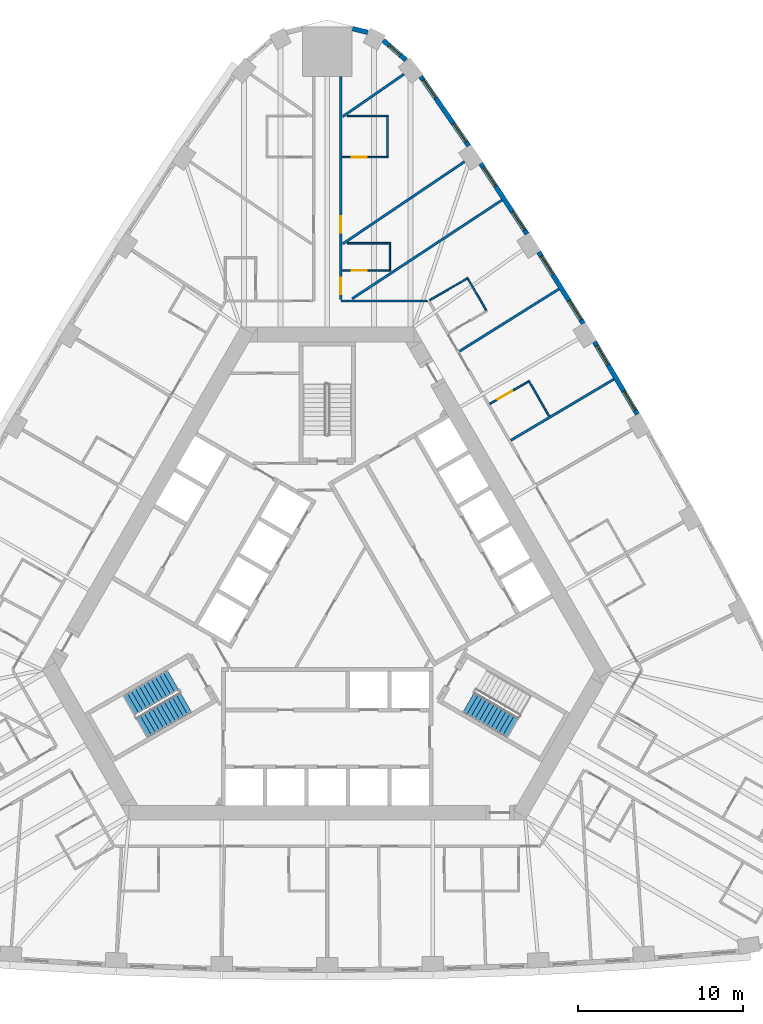
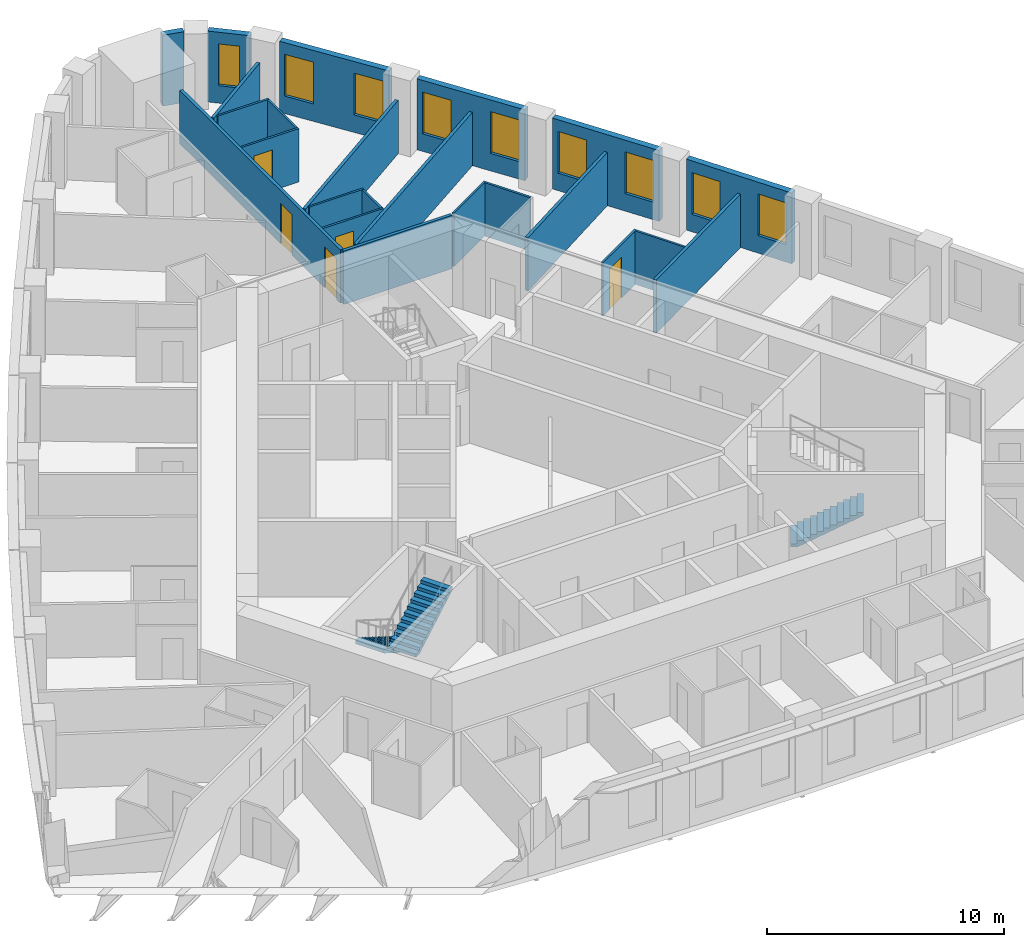
# One storey, part 11 of 13: 23 walls, 9 windows, 5 doors, 3 stair flights, 14 openings, 2 elements without a shape of their own.
"""IFC4 building model written with IfcOpenShell, lengths in metres."""

import ifcopenshell
import ifcopenshell.guid

model = None  # the IFC model being written
_history = None  # IfcOwnerHistory: only IFC2X3 demands one
_inside = {}  # id of a spatial element -> (the spatial element, [elements in it])
_under = {}  # id of a project, library or spatial element -> (it, [spatial elements below it])
_declared = {}  # id of a project -> (the project, [libraries it declares])
_typed = {}  # id of a type object -> (the type object, [elements of that type])
_made_of = {}  # id of a material, layer set ... -> (it, [elements and type objects made of it])


def new_model(schema):
    """Start an empty IFC model of exactly this schema.

    Asked for "IFC4X3", IfcOpenShell would pick the latest addendum, in which some entities
    have other attributes; the version numbers below select the first issue.
    IFC2X3 requires an IfcOwnerHistory on every rooted entity: one is made here for all.
    """
    global model, _history
    if schema == "IFC4X3":
        model = ifcopenshell.file(schema_version=(4, 3, 0, 0))
    else:
        model = ifcopenshell.file(schema=schema)
    _inside.clear()
    _under.clear()
    _declared.clear()
    _typed.clear()
    _made_of.clear()
    _history = None
    if model.schema == "IFC2X3":
        org = make("IfcOrganization", Name="unknown")
        user = make(
            "IfcPersonAndOrganization",
            ThePerson=make("IfcPerson", FamilyName="unknown"),
            TheOrganization=org,
        )
        app = make(
            "IfcApplication",
            ApplicationDeveloper=org,
            Version="unknown",
            ApplicationFullName="unknown",
            ApplicationIdentifier="unknown",
        )
        _history = make(
            "IfcOwnerHistory",
            OwningUser=user,
            OwningApplication=app,
            ChangeAction="ADDED",
            CreationDate=0,
        )
    return model


def make(cls, **values):
    """One entity of the class cls with the attributes given. An attribute that is None is left unset."""
    return model.create_entity(
        cls, **{name: value for name, value in values.items() if value is not None}
    )


def rooted(cls, **values):
    """An entity with a GlobalId (a new one), such as an element, a storey or a relation."""
    return make(cls, GlobalId=ifcopenshell.guid.new(), OwnerHistory=_history, **values)


def si_unit(unit_type, name, prefix=None):
    """IfcSIUnit, for example si_unit("LENGTHUNIT", "METRE", prefix="MILLI")."""
    return make("IfcSIUnit", UnitType=unit_type, Prefix=prefix, Name=name)


def assignment(units):
    """IfcUnitAssignment: the units of a project."""
    return None if units is None else make("IfcUnitAssignment", Units=units)


def point(xyz):
    """IfcCartesianPoint."""
    return None if xyz is None else make("IfcCartesianPoint", Coordinates=xyz)


def direction(xyz):
    """IfcDirection."""
    return None if xyz is None else make("IfcDirection", DirectionRatios=xyz)


def frame(location, z_axis=None, x_axis=None):
    """IfcAxis2Placement3D, a coordinate frame: its origin and axes. An axis left out is left unset."""
    return make(
        "IfcAxis2Placement3D",
        Location=point(location),
        Axis=direction(z_axis),
        RefDirection=direction(x_axis),
    )


def frame_2d(location, x_axis=None):
    """IfcAxis2Placement2D, a coordinate frame in the plane: its origin and x axis."""
    return make(
        "IfcAxis2Placement2D", Location=point(location), RefDirection=direction(x_axis)
    )


def origin():
    """The frame at (0, 0, 0) with its axes left unset."""
    return frame((0.0, 0.0, 0.0))


def place(relative_to, where):
    """IfcLocalPlacement: puts the frame where relative to a parent placement (None: the world)."""
    return make(
        "IfcLocalPlacement", PlacementRelTo=relative_to, RelativePlacement=where
    )


def context(
    kind, dimensions, precision=None, world=None, true_north=None, identifier=None
):
    """IfcGeometricRepresentationContext, for example the 3D "Model" context."""
    return make(
        "IfcGeometricRepresentationContext",
        ContextIdentifier=identifier,
        ContextType=kind,
        CoordinateSpaceDimension=dimensions,
        Precision=precision,
        WorldCoordinateSystem=world,
        TrueNorth=true_north,
    )


def subcontext(parent, identifier, kind, view, scale=None):
    """IfcGeometricRepresentationSubContext, for example "Body" below "Model"."""
    return make(
        "IfcGeometricRepresentationSubContext",
        ContextIdentifier=identifier,
        ContextType=kind,
        ParentContext=parent,
        TargetScale=scale,
        TargetView=view,
    )


def project(units=None, contexts=None):
    """IfcProject with its units and contexts."""
    return rooted(
        "IfcProject",
        Name="project",
        RepresentationContexts=contexts,
        UnitsInContext=assignment(units),
    )


def spatial(cls, under=None, at=None, **own):
    """A site, building, storey or space (cls), placed at a placement, below another one or the project."""
    s = rooted(cls, ObjectPlacement=at, **own)
    if under is not None:
        _under.setdefault(under.id(), (under, []))[1].append(s)
    return s


def polyline(points):
    """IfcPolyline through the points."""
    return make("IfcPolyline", Points=[point(p) for p in points])


def profile(cls, at=None, kind="AREA", **sizes):
    """A parametric profile (cls). Its sizes go by their IFC names, for example OverallWidth=200.0."""
    return make(cls, ProfileType=kind, Position=at, **sizes)


def rectangle(**sizes):
    """IfcRectangleProfileDef."""
    return profile("IfcRectangleProfileDef", **sizes)


def outline(outer, holes=None, kind="AREA"):
    """IfcArbitraryClosedProfileDef: a profile drawn as a closed curve; with holes, ...WithVoids."""
    if holes is None:
        return make("IfcArbitraryClosedProfileDef", ProfileType=kind, OuterCurve=outer)
    return make(
        "IfcArbitraryProfileDefWithVoids",
        ProfileType=kind,
        OuterCurve=outer,
        InnerCurves=holes,
    )


def extrude(swept, where, along, depth):
    """IfcExtrudedAreaSolid: the profile swept, set in the frame where, extruded along a direction by depth."""
    return make(
        "IfcExtrudedAreaSolid",
        SweptArea=swept,
        Position=where,
        ExtrudedDirection=direction(along),
        Depth=depth,
    )


def shape(context_of_items, identifier, shape_type, items):
    """IfcShapeRepresentation: the items that make up one representation, for example the "Body"."""
    return make(
        "IfcShapeRepresentation",
        ContextOfItems=context_of_items,
        RepresentationIdentifier=identifier,
        RepresentationType=shape_type,
        Items=items,
    )


def material(Name=None, Category=None):
    """IfcMaterial."""
    return make("IfcMaterial", Name=Name, Category=Category)


def layer(
    of_material, thickness, ventilated=None, Name=None, Category=None, Priority=None
):
    """IfcMaterialLayer: one layer of a wall or slab, of a material (None: an air gap)."""
    return make(
        "IfcMaterialLayer",
        Material=of_material,
        LayerThickness=thickness,
        IsVentilated=ventilated,
        Name=Name,
        Category=Category,
        Priority=Priority,
    )


def layer_set(layers, Name=None):
    """IfcMaterialLayerSet."""
    return make("IfcMaterialLayerSet", MaterialLayers=layers, LayerSetName=Name)


def made_of(thing, what):
    """Note that an element or type object is made of a material, layer set ...; save() writes the relation."""
    if what is not None:
        _made_of.setdefault(what.id(), (what, []))[1].append(thing)
    return thing


def type_object(cls, material=None, **own):
    """A type object (cls), such as IfcWallType, which elements share."""
    return made_of(rooted(cls, **own), material)


def element(
    cls,
    number,
    at=None,
    inside=None,
    cuts=None,
    type_object=None,
    material=None,
    context=None,
    identifier="Body",
    shape_type=None,
    held_by="IfcProductDefinitionShape",
    body=None,
    shapes=None,
    **own,
):
    """One element of the class cls, such as IfcWall. Its Tag is "e" and its number.

    at: its placement. inside: the storey or other place that contains it. cuts: it is an
    opening in that element (IfcRelVoidsElement). A single representation is given by context,
    identifier, shape_type and body (its items); several are given by shapes. held_by: the class
    of the entity that holds the representations. save() writes the other relations.
    """
    e = rooted(cls, Tag="e%d" % number, ObjectPlacement=at, **own)
    if body is not None:
        shapes = [shape(context, identifier, shape_type, body)]
    if shapes is not None:
        e.Representation = make(held_by, Representations=shapes)
    if inside is not None:
        _inside.setdefault(inside.id(), (inside, []))[1].append(e)
    if cuts is not None:
        rooted(
            "IfcRelVoidsElement", RelatingBuildingElement=cuts, RelatedOpeningElement=e
        )
    if type_object is not None:
        _typed.setdefault(type_object.id(), (type_object, []))[1].append(e)
    return made_of(e, material)


def fill(opening, filler):
    """IfcRelFillsElement: the door or window that sits in an opening."""
    return rooted(
        "IfcRelFillsElement",
        RelatingOpeningElement=opening,
        RelatedBuildingElement=filler,
    )


def aggregate(whole, parts):
    """IfcRelAggregates: a whole, such as a stair, and the parts it consists of."""
    return rooted("IfcRelAggregates", RelatingObject=whole, RelatedObjects=parts)


def save(model, path):
    """Write the relations noted so far, then the file.

    IfcRelAggregates (storeys below a building ...), IfcRelContainedInSpatialStructure (elements
    in a storey), IfcRelDefinesByType, IfcRelAssociatesMaterial and IfcRelDeclares: one each for
    every whole, place, type object, material and project.
    """
    for whole, parts in _under.values():
        aggregate(whole, parts)
    for where, things in _inside.values():
        rooted(
            "IfcRelContainedInSpatialStructure",
            RelatedElements=things,
            RelatingStructure=where,
        )
    for kind, things in _typed.values():
        rooted("IfcRelDefinesByType", RelatedObjects=things, RelatingType=kind)
    for what, things in _made_of.values():
        rooted("IfcRelAssociatesMaterial", RelatedObjects=things, RelatingMaterial=what)
    for by, libraries in _declared.values():
        rooted("IfcRelDeclares", RelatingContext=by, RelatedDefinitions=libraries)
    model.write(path)


model = new_model("IFC4")

# Units and contexts
model_context = context("Model", 3, precision=1e-05, world=origin(), true_north=direction((0.0, 1.0)))
body_context = subcontext(model_context, "Body", "Model", "MODEL_VIEW")
ifc_project = project(units=[si_unit("LENGTHUNIT", "METRE"), si_unit("AREAUNIT", "SQUARE_METRE"), si_unit("VOLUMEUNIT", "CUBIC_METRE"), si_unit("PLANEANGLEUNIT", "RADIAN"), si_unit("MASSUNIT", "GRAM", prefix="KILO")], contexts=[model_context])

# Site, building, storey
site_placement = place(None, origin())
site = spatial("IfcSite", under=ifc_project, at=site_placement, CompositionType="ELEMENT")
building_placement = place(site_placement, origin())
building = spatial("IfcBuilding", under=site, at=building_placement, Name="Mestral Congress Tower", CompositionType="ELEMENT")
storey_placement = place(building_placement, frame((0.0, 0.0, 83.699951171875)))
storey = spatial("IfcBuildingStorey", under=building, at=storey_placement, Name="L19", CompositionType="ELEMENT", Elevation=83.699951171875)

# Wall, openings, windows
ifc_material_1 = material(Name="Precast concrete C40/50 with limestone facing", Category="masonry")
ifc_layer_1 = layer(ifc_material_1, 0.2900390625)
ifc_layer_set_1 = layer_set([ifc_layer_1], Name="Precast concrete C40/50 with limestone facing")
wall_type_1 = type_object("IfcWallType", Name="Facade stone wall 290", PredefinedType="SOLIDWALL", material=ifc_layer_set_1)
wall_1_placement = place(storey_placement, frame((18.8046875, 11.611083984375, 0.0), z_axis=(0.0, 0.0, 1.0), x_axis=(-0.510054281659, 0.860142214847, 0.0)))
wall_1 = element("IfcWall", 1, at=wall_1_placement, inside=storey, type_object=wall_type_1, Name="Facade wall F1-04", PredefinedType="SOLIDWALL", context=body_context, shape_type="SweptSolid", body=[
    extrude(rectangle(XDim=5.1005859375, YDim=0.2900390625, at=frame_2d((2.55029296875, 0.0))), origin(), (0.0, 0.0, 1.0), 3.650146484375),
])
opening_1_placement = place(wall_1_placement, frame((0.272705078125, 0.0, 0.89990234375)))
opening_1 = element("IfcOpeningElement", 2, at=opening_1_placement, cuts=wall_1, Name="Opening W2", PredefinedType="OPENING", context=body_context, shape_type="SweptSolid", body=[
    extrude(rectangle(XDim=1.35009765625, YDim=2.14990234375, at=frame_2d((0.675048828125, 1.074951171875))), frame((0.0, 0.155029296875, 0.0), z_axis=(0.0, -1.0, 0.0), x_axis=(1.0, 0.0, 0.0)), (0.0, 0.0, 1.0), 0.31005859375),
])
opening_2_placement = place(wall_1_placement, frame((3.477783203125, 0.0, 0.89990234375)))
opening_2 = element("IfcOpeningElement", 3, at=opening_2_placement, cuts=wall_1, Name="Opening W2", PredefinedType="OPENING", context=body_context, shape_type="SweptSolid", body=[
    extrude(rectangle(XDim=1.35009765625, YDim=2.14990234375, at=frame_2d((0.675048828125, 1.074951171875))), frame((0.0, 0.155029296875, 0.0), z_axis=(0.0, -1.0, 0.0), x_axis=(1.0, 0.0, 0.0)), (0.0, 0.0, 1.0), 0.31005859375),
])
ifc_material_2 = material(Name="Clear low-emissivity double glazing", Category="glass")
window_type_1 = type_object("IfcWindowType", Name="Facade punched window 1350 x 2150 sill 900", PartitioningType="DOUBLE_PANEL_VERTICAL", PredefinedType="WINDOW", material=ifc_material_2)
window_1_placement = place(opening_1_placement, origin())
window_1 = element("IfcWindow", 4, at=window_1_placement, inside=storey, type_object=window_type_1, Name="Window F1-04a", OverallHeight=2.14990234375, OverallWidth=1.35009765625, PartitioningType="DOUBLE_PANEL_VERTICAL", PredefinedType="WINDOW", context=body_context, shape_type="SweptSolid", body=[
    extrude(rectangle(XDim=1.35009765625, YDim=2.14990234375, at=frame_2d((0.675048828125, 1.074951171875))), frame((0.0, 0.01513671875, 0.0), z_axis=(0.0, -1.0, 0.0), x_axis=(1.0, 0.0, 0.0)), (0.0, 0.0, 1.0), 0.06005859375),
])
fill(opening_1, window_1)
window_2_placement = place(opening_2_placement, origin())
window_2 = element("IfcWindow", 5, at=window_2_placement, inside=storey, type_object=window_type_1, Name="Window F1-04b", OverallHeight=2.14990234375, OverallWidth=1.35009765625, PartitioningType="DOUBLE_PANEL_VERTICAL", PredefinedType="WINDOW", context=body_context, shape_type="SweptSolid", body=[
    extrude(rectangle(XDim=1.35009765625, YDim=2.14990234375, at=frame_2d((0.675048828125, 1.074951171875))), frame((0.0, 0.01513671875, 0.0), z_axis=(0.0, -1.0, 0.0), x_axis=(1.0, 0.0, 0.0)), (0.0, 0.0, 1.0), 0.06005859375),
])
fill(opening_2, window_2)

wall_2_placement = place(storey_placement, frame((15.523681640625, 17.114013671875, 0.0), z_axis=(0.0, 0.0, 1.0), x_axis=(-0.530072082134, 0.847952585787, 0.0)))
wall_2 = element("IfcWall", 6, at=wall_2_placement, inside=storey, type_object=wall_type_1, Name="Facade wall F1-05", PredefinedType="SOLIDWALL", context=body_context, shape_type="SweptSolid", body=[
    extrude(rectangle(XDim=5.100341796875, YDim=0.2900390625, at=frame_2d((2.55029296875, 0.0))), origin(), (0.0, 0.0, 1.0), 3.650146484375),
])
opening_3_placement = place(wall_2_placement, frame((0.272705078125, 0.0, 0.89990234375)))
opening_3 = element("IfcOpeningElement", 7, at=opening_3_placement, cuts=wall_2, Name="Opening W2", PredefinedType="OPENING", context=body_context, shape_type="SweptSolid", body=[
    extrude(rectangle(XDim=1.35009765625, YDim=2.14990234375, at=frame_2d((0.675048828125, 1.074951171875))), frame((0.0, 0.155029296875, 0.0), z_axis=(0.0, -1.0, 0.0), x_axis=(1.0, 0.0, 0.0)), (0.0, 0.0, 1.0), 0.31005859375),
])
opening_4_placement = place(wall_2_placement, frame((3.477783203125, 0.0, 0.89990234375)))
opening_4 = element("IfcOpeningElement", 8, at=opening_4_placement, cuts=wall_2, Name="Opening W2", PredefinedType="OPENING", context=body_context, shape_type="SweptSolid", body=[
    extrude(rectangle(XDim=1.35009765625, YDim=2.14990234375, at=frame_2d((0.675048828125, 1.074951171875))), frame((0.0, 0.155029296875, 0.0), z_axis=(0.0, -1.0, 0.0), x_axis=(1.0, 0.0, 0.0)), (0.0, 0.0, 1.0), 0.31005859375),
])
window_3_placement = place(opening_3_placement, origin())
window_3 = element("IfcWindow", 9, at=window_3_placement, inside=storey, type_object=window_type_1, Name="Window F1-05a", OverallHeight=2.14990234375, OverallWidth=1.35009765625, PartitioningType="DOUBLE_PANEL_VERTICAL", PredefinedType="WINDOW", context=body_context, shape_type="SweptSolid", body=[
    extrude(rectangle(XDim=1.35009765625, YDim=2.14990234375, at=frame_2d((0.675048828125, 1.074951171875))), frame((0.0, 0.01513671875, 0.0), z_axis=(0.0, -1.0, 0.0), x_axis=(1.0, 0.0, 0.0)), (0.0, 0.0, 1.0), 0.06005859375),
])
fill(opening_3, window_3)
window_4_placement = place(opening_4_placement, origin())
window_4 = element("IfcWindow", 10, at=window_4_placement, inside=storey, type_object=window_type_1, Name="Window F1-05b", OverallHeight=2.14990234375, OverallWidth=1.35009765625, PartitioningType="DOUBLE_PANEL_VERTICAL", PredefinedType="WINDOW", context=body_context, shape_type="SweptSolid", body=[
    extrude(rectangle(XDim=1.35009765625, YDim=2.14990234375, at=frame_2d((0.675048828125, 1.074951171875))), frame((0.0, 0.01513671875, 0.0), z_axis=(0.0, -1.0, 0.0), x_axis=(1.0, 0.0, 0.0)), (0.0, 0.0, 1.0), 0.06005859375),
])
fill(opening_4, window_4)

wall_3_placement = place(storey_placement, frame((12.114501953125, 22.538818359375, 0.0), z_axis=(0.0, 0.0, 1.0), x_axis=(-0.549741341923, 0.835334937005, 0.0)))
wall_3 = element("IfcWall", 11, at=wall_3_placement, inside=storey, type_object=wall_type_1, Name="Facade wall F1-06", PredefinedType="SOLIDWALL", context=body_context, shape_type="SweptSolid", body=[
    extrude(rectangle(XDim=5.10009765625, YDim=0.2900390625, at=frame_2d((2.550048828125, 0.0))), origin(), (0.0, 0.0, 1.0), 3.650146484375),
])
opening_5_placement = place(wall_3_placement, frame((0.272705078125, 0.0, 0.89990234375)))
opening_5 = element("IfcOpeningElement", 12, at=opening_5_placement, cuts=wall_3, Name="Opening W2", PredefinedType="OPENING", context=body_context, shape_type="SweptSolid", body=[
    extrude(rectangle(XDim=1.35009765625, YDim=2.14990234375, at=frame_2d((0.675048828125, 1.074951171875))), frame((0.0, 0.155029296875, 0.0), z_axis=(0.0, -1.0, 0.0), x_axis=(1.0, 0.0, 0.0)), (0.0, 0.0, 1.0), 0.31005859375),
])
opening_6_placement = place(wall_3_placement, frame((3.477783203125, 0.0, 0.89990234375)))
opening_6 = element("IfcOpeningElement", 13, at=opening_6_placement, cuts=wall_3, Name="Opening W2", PredefinedType="OPENING", context=body_context, shape_type="SweptSolid", body=[
    extrude(rectangle(XDim=1.35009765625, YDim=2.14990234375, at=frame_2d((0.675048828125, 1.074951171875))), frame((0.0, 0.155029296875, 0.0), z_axis=(0.0, -1.0, 0.0), x_axis=(1.0, 0.0, 0.0)), (0.0, 0.0, 1.0), 0.31005859375),
])
window_5_placement = place(opening_5_placement, origin())
window_5 = element("IfcWindow", 14, at=window_5_placement, inside=storey, type_object=window_type_1, Name="Window F1-06a", OverallHeight=2.14990234375, OverallWidth=1.35009765625, PartitioningType="DOUBLE_PANEL_VERTICAL", PredefinedType="WINDOW", context=body_context, shape_type="SweptSolid", body=[
    extrude(rectangle(XDim=1.35009765625, YDim=2.14990234375, at=frame_2d((0.675048828125, 1.074951171875))), frame((0.0, 0.01513671875, 0.0), z_axis=(0.0, -1.0, 0.0), x_axis=(1.0, 0.0, 0.0)), (0.0, 0.0, 1.0), 0.06005859375),
])
fill(opening_5, window_5)
window_6_placement = place(opening_6_placement, origin())
window_6 = element("IfcWindow", 15, at=window_6_placement, inside=storey, type_object=window_type_1, Name="Window F1-06b", OverallHeight=2.14990234375, OverallWidth=1.35009765625, PartitioningType="DOUBLE_PANEL_VERTICAL", PredefinedType="WINDOW", context=body_context, shape_type="SweptSolid", body=[
    extrude(rectangle(XDim=1.35009765625, YDim=2.14990234375, at=frame_2d((0.675048828125, 1.074951171875))), frame((0.0, 0.01513671875, 0.0), z_axis=(0.0, -1.0, 0.0), x_axis=(1.0, 0.0, 0.0)), (0.0, 0.0, 1.0), 0.06005859375),
])
fill(opening_6, window_6)

wall_4_placement = place(storey_placement, frame((8.57958984375, 27.882080078125, 0.0), z_axis=(0.0, 0.0, 1.0), x_axis=(-0.569113019126, 0.822259309136, 0.0)))
wall_4 = element("IfcWall", 16, at=wall_4_placement, inside=storey, type_object=wall_type_1, Name="Facade wall F1-07", PredefinedType="SOLIDWALL", context=body_context, shape_type="SweptSolid", body=[
    extrude(rectangle(XDim=5.106689453125, YDim=0.2900390625, at=frame_2d((2.55322265625, 0.0))), origin(), (0.0, 0.0, 1.0), 3.650146484375),
])
opening_7_placement = place(wall_4_placement, frame((0.285400390625, 0.0, 0.89990234375)))
opening_7 = element("IfcOpeningElement", 17, at=opening_7_placement, cuts=wall_4, Name="Opening W2", PredefinedType="OPENING", context=body_context, shape_type="SweptSolid", body=[
    extrude(rectangle(XDim=1.35009765625, YDim=2.14990234375, at=frame_2d((0.675048828125, 1.074951171875))), frame((0.0, 0.155029296875, 0.0), z_axis=(0.0, -1.0, 0.0), x_axis=(1.0, 0.0, 0.0)), (0.0, 0.0, 1.0), 0.31005859375),
])
opening_8_placement = place(wall_4_placement, frame((3.516357421875, 0.0, 0.89990234375)))
opening_8 = element("IfcOpeningElement", 18, at=opening_8_placement, cuts=wall_4, Name="Opening W2", PredefinedType="OPENING", context=body_context, shape_type="SweptSolid", body=[
    extrude(rectangle(XDim=1.35009765625, YDim=2.14990234375, at=frame_2d((0.675048828125, 1.074951171875))), frame((0.0, 0.155029296875, 0.0), z_axis=(0.0, -1.0, 0.0), x_axis=(1.0, 0.0, 0.0)), (0.0, 0.0, 1.0), 0.31005859375),
])
window_7_placement = place(opening_7_placement, origin())
window_7 = element("IfcWindow", 19, at=window_7_placement, inside=storey, type_object=window_type_1, Name="Window F1-07a", OverallHeight=2.14990234375, OverallWidth=1.35009765625, PartitioningType="DOUBLE_PANEL_VERTICAL", PredefinedType="WINDOW", context=body_context, shape_type="SweptSolid", body=[
    extrude(rectangle(XDim=1.35009765625, YDim=2.14990234375, at=frame_2d((0.675048828125, 1.074951171875))), frame((0.0, 0.01513671875, 0.0), z_axis=(0.0, -1.0, 0.0), x_axis=(1.0, 0.0, 0.0)), (0.0, 0.0, 1.0), 0.06005859375),
])
fill(opening_7, window_7)
window_8_placement = place(opening_8_placement, origin())
window_8 = element("IfcWindow", 20, at=window_8_placement, inside=storey, type_object=window_type_1, Name="Window F1-07b", OverallHeight=2.14990234375, OverallWidth=1.35009765625, PartitioningType="DOUBLE_PANEL_VERTICAL", PredefinedType="WINDOW", context=body_context, shape_type="SweptSolid", body=[
    extrude(rectangle(XDim=1.35009765625, YDim=2.14990234375, at=frame_2d((0.675048828125, 1.074951171875))), frame((0.0, 0.01513671875, 0.0), z_axis=(0.0, -1.0, 0.0), x_axis=(1.0, 0.0, 0.0)), (0.0, 0.0, 1.0), 0.06005859375),
])
fill(opening_8, window_8)

# Wall, opening, window
wall_5_placement = place(storey_placement, frame((4.778076171875, 33.08203125, 0.0), z_axis=(0.0, 0.0, 1.0), x_axis=(-0.754882764627, 0.655859749999, 0.0)))
wall_5 = element("IfcWall", 21, at=wall_5_placement, inside=storey, type_object=wall_type_1, Name="Facade wall K1-0", PredefinedType="SOLIDWALL", context=body_context, shape_type="SweptSolid", body=[
    extrude(rectangle(XDim=1.819580078125, YDim=0.2900390625, at=frame_2d((0.90966796875, 0.0))), origin(), (0.0, 0.0, 1.0), 3.650146484375),
])
opening_9_placement = place(wall_5_placement, frame((0.459716796875, 0.0, 0.89990234375)))
opening_9 = element("IfcOpeningElement", 22, at=opening_9_placement, cuts=wall_5, Name="Opening W3", PredefinedType="OPENING", context=body_context, shape_type="SweptSolid", body=[
    extrude(rectangle(XDim=0.89990234375, YDim=2.14990234375, at=frame_2d((0.449951171875, 1.074951171875))), frame((0.0, 0.155029296875, 0.0), z_axis=(0.0, -1.0, 0.0), x_axis=(1.0, 0.0, 0.0)), (0.0, 0.0, 1.0), 0.31005859375),
])
window_type_2 = type_object("IfcWindowType", Name="Facade punched window 900 x 2150 sill 900", PartitioningType="SINGLE_PANEL", PredefinedType="WINDOW", material=ifc_material_2)
window_9_placement = place(opening_9_placement, origin())
window_9 = element("IfcWindow", 23, at=window_9_placement, inside=storey, type_object=window_type_2, Name="Window K1-0", OverallHeight=2.14990234375, OverallWidth=0.89990234375, PartitioningType="SINGLE_PANEL", PredefinedType="WINDOW", context=body_context, shape_type="SweptSolid", body=[
    extrude(rectangle(XDim=0.89990234375, YDim=2.14990234375, at=frame_2d((0.449951171875, 1.074951171875))), frame((0.0, 0.01513671875, 0.0), z_axis=(0.0, -1.0, 0.0), x_axis=(1.0, 0.0, 0.0)), (0.0, 0.0, 1.0), 0.06005859375),
])
fill(opening_9, window_9)

# Wall
wall_6_placement = place(storey_placement, frame((2.455322265625, 34.765625, 0.0), z_axis=(0.0, 0.0, 1.0), x_axis=(-0.971713991574, 0.236160789674, 0.0)))
element("IfcWall", 24, at=wall_6_placement, inside=storey, type_object=wall_type_1, Name="Facade wall K1-1", PredefinedType="SOLIDWALL", context=body_context, shape_type="SweptSolid", body=[
    extrude(rectangle(XDim=0.947021484375, YDim=0.2900390625, at=frame_2d((0.4736328125, 0.0))), origin(), (0.0, 0.0, 1.0), 3.650146484375),
])

# Wall, opening, door
ifc_material_3 = material(Name="Gypsum board partition on metal studs with mineral wool", Category="composite")
ifc_layer_2 = layer(ifc_material_3, 0.10009765625)
ifc_layer_set_2 = layer_set([ifc_layer_2], Name="Gypsum board partition on metal studs with mineral wool")
wall_type_2 = type_object("IfcWallType", Name="Hotel partition wall 100", PredefinedType="PARTITIONING", material=ifc_layer_set_2)
wall_7_placement = place(storey_placement, frame((12.277099609375, 13.635498046875, 0.0), z_axis=(0.0, 0.0, 1.0), x_axis=(-0.866034573852, -0.49998411664, 0.0)))
wall_7 = element("IfcWall", 25, at=wall_7_placement, inside=storey, type_object=wall_type_2, Name="L19-h-pod15a", PredefinedType="PARTITIONING", context=body_context, shape_type="SweptSolid", body=[
    extrude(rectangle(XDim=2.7998046875, YDim=0.10009765625, at=frame_2d((1.39990234375, 0.0))), origin(), (0.0, 0.0, 1.0), 2.75),
])
opening_10_placement = place(wall_7_placement, frame((1.25, 0.0, 0.0)))
opening_10 = element("IfcOpeningElement", 26, at=opening_10_placement, cuts=wall_7, Name="Opening H06-028", PredefinedType="OPENING", context=body_context, shape_type="SweptSolid", body=[
    extrude(rectangle(XDim=1.0, YDim=2.10009765625, at=frame_2d((0.5, 1.050048828125))), frame((0.0, 0.06005859375, 0.0), z_axis=(0.0, -1.0, 0.0), x_axis=(1.0, 0.0, 0.0)), (0.0, 0.0, 1.0), 0.1201171875),
])
ifc_material_4 = material(Name="Timber veneer door leaf in timber frame", Category="wood")
door_type_1 = type_object("IfcDoorType", Name="Accessible bathroom door 1000", OperationType="SINGLE_SWING_LEFT", PredefinedType="DOOR", material=ifc_material_4)
door_1_placement = place(opening_10_placement, origin())
door_1 = element("IfcDoor", 27, at=door_1_placement, inside=storey, type_object=door_type_1, Name="L19-h-d028", OperationType="SINGLE_SWING_RIGHT", OverallHeight=2.10009765625, OverallWidth=1.0, PredefinedType="DOOR", context=body_context, shape_type="SweptSolid", body=[
    extrude(rectangle(XDim=1.0, YDim=2.10009765625, at=frame_2d((0.5, 1.050048828125))), frame((0.0, 0.02490234375, 0.0), z_axis=(0.0, -1.0, 0.0), x_axis=(1.0, 0.0, 0.0)), (0.0, 0.0, 1.0), 0.050048828125),
])
fill(opening_10, door_1)

# Walls
wall_8_placement = place(storey_placement, frame((12.2587890625, 13.567138671875, 0.0), z_axis=(0.0, 0.0, 1.0), x_axis=(0.500017192868, -0.86601547725, 0.0)))
element("IfcWall", 28, at=wall_8_placement, inside=storey, type_object=wall_type_2, Name="L19-h-pod15b", PredefinedType="PARTITIONING", context=body_context, shape_type="SweptSolid", body=[
    extrude(rectangle(XDim=2.39013671875, YDim=0.10009765625, at=frame_2d((1.195068359375, 0.0))), origin(), (0.0, 0.0, 1.0), 2.75),
])
wall_9_placement = place(storey_placement, frame((9.63818359375, 17.90625, 0.0), z_axis=(0.0, 0.0, 1.0), x_axis=(-0.50002983664, 0.866008176907, 0.0)))
element("IfcWall", 29, at=wall_9_placement, inside=storey, type_object=wall_type_2, Name="L19-h-pod16b", PredefinedType="PARTITIONING", context=body_context, shape_type="SweptSolid", body=[
    extrude(rectangle(XDim=2.199951171875, YDim=0.10009765625, at=frame_2d((1.10009765625, 0.0))), origin(), (0.0, 0.0, 1.0), 2.75),
])
wall_10_placement = place(storey_placement, frame((6.21826171875, 18.52978515625, 0.0), z_axis=(0.0, 0.0, 1.0), x_axis=(0.86599734893, 0.500048589285, 0.0)))
element("IfcWall", 30, at=wall_10_placement, inside=storey, type_object=wall_type_2, Name="L19-h-pod16c", PredefinedType="PARTITIONING", context=body_context, shape_type="SweptSolid", body=[
    extrude(rectangle(XDim=2.699951171875, YDim=0.10009765625, at=frame_2d((1.35009765625, 0.0))), origin(), (0.0, 0.0, 1.0), 2.75),
])

# Wall, opening, door
wall_11_placement = place(storey_placement, frame((0.89990234375, 20.32861328125, 0.0), z_axis=(0.0, 0.0, 1.0), x_axis=(1.0, 0.0, 0.0)))
wall_11 = element("IfcWall", 31, at=wall_11_placement, inside=storey, type_object=wall_type_2, Name="L19-h-pod17a", PredefinedType="PARTITIONING", context=body_context, shape_type="SweptSolid", body=[
    extrude(rectangle(XDim=2.9501953125, YDim=0.10009765625, at=frame_2d((1.47509765625, 0.0))), origin(), (0.0, 0.0, 1.0), 2.75),
])
opening_11_placement = place(wall_11_placement, frame((0.60009765625, 0.0, 0.0)))
opening_11 = element("IfcOpeningElement", 32, at=opening_11_placement, cuts=wall_11, Name="Opening H06-032", PredefinedType="OPENING", context=body_context, shape_type="SweptSolid", body=[
    extrude(rectangle(XDim=0.89990234375, YDim=2.10009765625, at=frame_2d((0.449951171875, 1.050048828125))), frame((0.0, 0.06005859375, 0.0), z_axis=(0.0, -1.0, 0.0), x_axis=(1.0, 0.0, 0.0)), (0.0, 0.0, 1.0), 0.1201171875),
])
door_type_2 = type_object("IfcDoorType", Name="Bathroom door 900", OperationType="SINGLE_SWING_LEFT", PredefinedType="DOOR", material=ifc_material_4)
door_2_placement = place(opening_11_placement, origin())
door_2 = element("IfcDoor", 33, at=door_2_placement, inside=storey, type_object=door_type_2, Name="L19-h-d032", OperationType="SINGLE_SWING_LEFT", OverallHeight=2.10009765625, OverallWidth=0.89990234375, PredefinedType="DOOR", context=body_context, shape_type="SweptSolid", body=[
    extrude(rectangle(XDim=0.89990234375, YDim=2.10009765625, at=frame_2d((0.449951171875, 1.050048828125))), frame((0.0, 0.02490234375, 0.0), z_axis=(0.0, -1.0, 0.0), x_axis=(1.0, 0.0, 0.0)), (0.0, 0.0, 1.0), 0.050048828125),
])
fill(opening_11, door_2)

# Walls
wall_12_placement = place(storey_placement, frame((3.800048828125, 20.37841796875, 0.0), z_axis=(0.0, 0.0, 1.0), x_axis=(0.0, 1.0, 0.0)))
element("IfcWall", 34, at=wall_12_placement, inside=storey, type_object=wall_type_2, Name="L19-h-pod17b", PredefinedType="PARTITIONING", context=body_context, shape_type="SweptSolid", body=[
    extrude(rectangle(XDim=1.550048828125, YDim=0.10009765625, at=frame_2d((0.77490234375, 0.0))), origin(), (0.0, 0.0, 1.0), 2.75),
])
wall_13_placement = place(storey_placement, frame((1.2099609375, 21.978515625, 0.0), z_axis=(0.0, 0.0, 1.0), x_axis=(1.0, 0.0, 0.0)))
element("IfcWall", 35, at=wall_13_placement, inside=storey, type_object=wall_type_2, Name="L19-h-pod17c", PredefinedType="PARTITIONING", context=body_context, shape_type="SweptSolid", body=[
    extrude(rectangle(XDim=2.64013671875, YDim=0.10009765625, at=frame_2d((1.320068359375, 0.0))), origin(), (0.0, 0.0, 1.0), 2.75),
])

# Wall, opening, door
wall_14_placement = place(storey_placement, frame((0.89990234375, 27.197998046875, 0.0), z_axis=(0.0, 0.0, 1.0), x_axis=(1.0, 0.0, 0.0)))
wall_14 = element("IfcWall", 36, at=wall_14_placement, inside=storey, type_object=wall_type_2, Name="L19-h-pod18a", PredefinedType="PARTITIONING", context=body_context, shape_type="SweptSolid", body=[
    extrude(rectangle(XDim=2.800048828125, YDim=0.10009765625, at=frame_2d((1.39990234375, 0.0))), origin(), (0.0, 0.0, 1.0), 2.75),
])
opening_12_placement = place(wall_14_placement, frame((0.60009765625, 0.0, 0.0)))
opening_12 = element("IfcOpeningElement", 37, at=opening_12_placement, cuts=wall_14, Name="Opening H06-034", PredefinedType="OPENING", context=body_context, shape_type="SweptSolid", body=[
    extrude(rectangle(XDim=0.89990234375, YDim=2.10009765625, at=frame_2d((0.449951171875, 1.050048828125))), frame((0.0, 0.06005859375, 0.0), z_axis=(0.0, -1.0, 0.0), x_axis=(1.0, 0.0, 0.0)), (0.0, 0.0, 1.0), 0.1201171875),
])
door_3_placement = place(opening_12_placement, origin())
door_3 = element("IfcDoor", 38, at=door_3_placement, inside=storey, type_object=door_type_2, Name="L19-h-d034", OperationType="SINGLE_SWING_RIGHT", OverallHeight=2.10009765625, OverallWidth=0.89990234375, PredefinedType="DOOR", context=body_context, shape_type="SweptSolid", body=[
    extrude(rectangle(XDim=0.89990234375, YDim=2.10009765625, at=frame_2d((0.449951171875, 1.050048828125))), frame((0.0, 0.02490234375, 0.0), z_axis=(0.0, -1.0, 0.0), x_axis=(1.0, 0.0, 0.0)), (0.0, 0.0, 1.0), 0.050048828125),
])
fill(opening_12, door_3)

# Walls
wall_15_placement = place(storey_placement, frame((3.64990234375, 27.248046875, 0.0), z_axis=(0.0, 0.0, 1.0), x_axis=(0.0, 1.0, 0.0)))
element("IfcWall", 39, at=wall_15_placement, inside=storey, type_object=wall_type_2, Name="L19-h-pod18b", PredefinedType="PARTITIONING", context=body_context, shape_type="SweptSolid", body=[
    extrude(rectangle(XDim=2.39990234375, YDim=0.10009765625, at=frame_2d((1.199951171875, 0.0))), origin(), (0.0, 0.0, 1.0), 2.75),
])
wall_16_placement = place(storey_placement, frame((1.199951171875, 29.697998046875, 0.0), z_axis=(0.0, 0.0, 1.0), x_axis=(1.0, 0.0, 0.0)))
element("IfcWall", 40, at=wall_16_placement, inside=storey, type_object=wall_type_2, Name="L19-h-pod18c", PredefinedType="PARTITIONING", context=body_context, shape_type="SweptSolid", body=[
    extrude(rectangle(XDim=2.5, YDim=0.10009765625, at=frame_2d((1.25, 0.0))), origin(), (0.0, 0.0, 1.0), 2.75),
])
ifc_layer_3 = layer(ifc_material_3, 0.14990234375)
ifc_layer_set_3 = layer_set([ifc_layer_3], Name="Gypsum board partition on metal studs with mineral wool")
wall_type_3 = type_object("IfcWallType", Name="Hotel partition wall 150", PredefinedType="PARTITIONING", material=ifc_layer_set_3)
wall_17_placement = place(storey_placement, frame((0.824951171875, 18.47509765625, 0.0), z_axis=(0.0, 0.0, 1.0), x_axis=(1.0, 0.0, 0.0)))
element("IfcWall", 41, at=wall_17_placement, inside=storey, type_object=wall_type_3, Name="L19-h-cw04", PredefinedType="PARTITIONING", context=body_context, shape_type="SweptSolid", body=[
    extrude(rectangle(XDim=5.268310546875, YDim=0.14990234375, at=frame_2d((2.63427734375, 0.0))), origin(), (0.0, 0.0, 1.0), 2.75),
])

# Wall, openings, doors
wall_18_placement = place(storey_placement, frame((0.824951171875, 32.098388671875, 0.0), z_axis=(0.0, 0.0, 1.0), x_axis=(0.0, -1.0, 0.0)))
wall_18 = element("IfcWall", 42, at=wall_18_placement, inside=storey, type_object=wall_type_3, Name="L19-h-cw05", PredefinedType="PARTITIONING", context=body_context, shape_type="SweptSolid", body=[
    extrude(rectangle(XDim=13.54345703125, YDim=0.14990234375, at=frame_2d((6.771728515625, 0.0))), origin(), (0.0, 0.0, 1.0), 2.75),
])
opening_13_placement = place(wall_18_placement, frame((12.21337890625, 0.0, 0.0)))
opening_13 = element("IfcOpeningElement", 43, at=opening_13_placement, cuts=wall_18, Name="Opening H06-031", PredefinedType="OPENING", context=body_context, shape_type="SweptSolid", body=[
    extrude(rectangle(XDim=1.0, YDim=2.10009765625, at=frame_2d((0.5, 1.050048828125))), frame((0.0, 0.0849609375, 0.0), z_axis=(0.0, -1.0, 0.0), x_axis=(1.0, 0.0, 0.0)), (0.0, 0.0, 1.0), 0.169921875),
])
opening_14_placement = place(wall_18_placement, frame((8.490234375, 0.0, 0.0)))
opening_14 = element("IfcOpeningElement", 44, at=opening_14_placement, cuts=wall_18, Name="Opening H06-033", PredefinedType="OPENING", context=body_context, shape_type="SweptSolid", body=[
    extrude(rectangle(XDim=1.0, YDim=2.10009765625, at=frame_2d((0.5, 1.050048828125))), frame((0.0, 0.0849609375, 0.0), z_axis=(0.0, -1.0, 0.0), x_axis=(1.0, 0.0, 0.0)), (0.0, 0.0, 1.0), 0.169921875),
])
ifc_material_5 = material(Name="Timber veneer door leaf in metal frame", Category="wood")
door_type_3 = type_object("IfcDoorType", Name="Guest room entrance door 1000", OperationType="SINGLE_SWING_LEFT", PredefinedType="DOOR", material=ifc_material_5)
door_4_placement = place(opening_13_placement, origin())
door_4 = element("IfcDoor", 45, at=door_4_placement, inside=storey, type_object=door_type_3, Name="L19-h-d031", OperationType="SINGLE_SWING_RIGHT", OverallHeight=2.10009765625, OverallWidth=1.0, PredefinedType="DOOR", context=body_context, shape_type="SweptSolid", body=[
    extrude(rectangle(XDim=1.0, YDim=2.10009765625, at=frame_2d((0.5, 1.050048828125))), frame((0.0, 0.02490234375, 0.0), z_axis=(0.0, -1.0, 0.0), x_axis=(1.0, 0.0, 0.0)), (0.0, 0.0, 1.0), 0.050048828125),
])
fill(opening_13, door_4)
door_5_placement = place(opening_14_placement, origin())
door_5 = element("IfcDoor", 46, at=door_5_placement, inside=storey, type_object=door_type_3, Name="L19-h-d033", OperationType="SINGLE_SWING_RIGHT", OverallHeight=2.10009765625, OverallWidth=1.0, PredefinedType="DOOR", context=body_context, shape_type="SweptSolid", body=[
    extrude(rectangle(XDim=1.0, YDim=2.10009765625, at=frame_2d((0.5, 1.050048828125))), frame((0.0, 0.02490234375, 0.0), z_axis=(0.0, -1.0, 0.0), x_axis=(1.0, 0.0, 0.0)), (0.0, 0.0, 1.0), 0.050048828125),
])
fill(opening_14, door_5)

# Walls
wall_19_placement = place(storey_placement, frame((8.32568359375, 26.922607421875, 0.0), z_axis=(0.0, 0.0, 1.0), x_axis=(-0.828836601893, -0.5594907393, 0.0)))
element("IfcWall", 47, at=wall_19_placement, inside=storey, type_object=wall_type_3, Name="L19-h-pw16", PredefinedType="PARTITIONING", context=body_context, shape_type="SweptSolid", body=[
    extrude(rectangle(XDim=8.9091796875, YDim=0.14990234375, at=frame_2d((4.45458984375, 0.0))), origin(), (0.0, 0.0, 1.0), 2.75),
])
wall_20_placement = place(storey_placement, frame((10.591552734375, 24.589111328125, 0.0), z_axis=(0.0, 0.0, 1.0), x_axis=(-0.835337323748, -0.549737715236, 0.0)))
element("IfcWall", 48, at=wall_20_placement, inside=storey, type_object=wall_type_3, Name="L19-h-pw17", PredefinedType="PARTITIONING", context=body_context, shape_type="SweptSolid", body=[
    extrude(rectangle(XDim=10.875244140625, YDim=0.14990234375, at=frame_2d((5.4375, 0.0))), origin(), (0.0, 0.0, 1.0), 2.75),
])
wall_21_placement = place(storey_placement, frame((4.649169921875, 32.223388671875, 0.0), z_axis=(0.0, 0.0, 1.0), x_axis=(-0.822262349475, -0.569108626394, 0.0)))
element("IfcWall", 49, at=wall_21_placement, inside=storey, type_object=wall_type_3, Name="L19-h-pw19", PredefinedType="PARTITIONING", context=body_context, shape_type="SweptSolid", body=[
    extrude(rectangle(XDim=4.509521484375, YDim=0.14990234375, at=frame_2d((2.2548828125, 0.0))), origin(), (0.0, 0.0, 1.0), 2.75),
])
wall_22_placement = place(storey_placement, frame((14.048828125, 19.19970703125, 0.0), z_axis=(0.0, 0.0, 1.0), x_axis=(-0.847955867271, -0.530066832731, 0.0)))
element("IfcWall", 50, at=wall_22_placement, inside=storey, type_object=wall_type_3, Name="L19-h-pw20", PredefinedType="PARTITIONING", context=body_context, shape_type="SweptSolid", body=[
    extrude(rectangle(XDim=7.111083984375, YDim=0.14990234375, at=frame_2d((3.5556640625, 0.0))), origin(), (0.0, 0.0, 1.0), 2.75),
])
wall_23_placement = place(storey_placement, frame((17.379150390625, 13.730712890625, 0.0), z_axis=(0.0, 0.0, 1.0), x_axis=(-0.860132461691, -0.510070728768, 0.0)))
element("IfcWall", 51, at=wall_23_placement, inside=storey, type_object=wall_type_3, Name="L19-h-pw22", PredefinedType="PARTITIONING", context=body_context, shape_type="SweptSolid", body=[
    extrude(rectangle(XDim=7.256591796875, YDim=0.14990234375, at=frame_2d((3.62841796875, 0.0))), origin(), (0.0, 0.0, 1.0), 2.75),
])

# Stair, stair flight
ifc_material_6 = material(Name="Concrete C60/75", Category="concrete")
stair_type = type_object("IfcStairType", Name="Exit stair 1400", PredefinedType="HALF_TURN_STAIR", material=ifc_material_6)
placement = place(storey_placement, origin())
stair_1 = element("IfcStair", 52, at=placement, inside=storey, type_object=stair_type, Name="L19 ST1", PredefinedType="HALF_TURN_STAIR")
stair_flight_type = type_object("IfcStairFlightType", Name="Exit stair flight 1400", PredefinedType="STRAIGHT", material=ifc_material_6)
stair_flight_1_placement = place(storey_placement, frame((8.575927734375, -5.84619140625, 0.0), z_axis=(0.0, 0.0, 1.0), x_axis=(0.866025403784, -0.5, 0.0)))
stair_flight_1 = element("IfcStairFlight", 53, at=stair_flight_1_placement, type_object=stair_flight_type, Name="ST1 flight 1", NumberOfRisers=12, NumberOfTreads=11, PredefinedType="STRAIGHT", RiserHeight=0.1625, TreadLength=0.28, context=body_context, shape_type="SweptSolid", body=[
    extrude(outline(polyline([(0.0, 0.0), (0.0, 0.16259765625), (0.280029296875, 0.16259765625), (0.280029296875, 0.324951171875), (0.56005859375, 0.324951171875), (0.56005859375, 0.487548828125), (0.840087890625, 0.487548828125), (0.840087890625, 0.64990234375), (1.1201171875, 0.64990234375), (1.1201171875, 0.8125), (1.39990234375, 0.8125), (1.39990234375, 0.97509765625), (1.679931640625, 0.97509765625), (1.679931640625, 1.137451171875), (1.9599609375, 1.137451171875), (1.9599609375, 1.300048828125), (2.239990234375, 1.300048828125), (2.239990234375, 1.46240234375), (2.52001953125, 1.46240234375), (2.52001953125, 1.625), (2.800048828125, 1.625), (2.800048828125, 1.78759765625), (3.080078125, 1.78759765625), (3.080078125, 1.949951171875), (3.080078125, 1.6142578125), (0.298583984375, 0.0), (0.0, 0.0)])), frame((0.0, 0.699951171875, 0.0), z_axis=(0.0, -1.0, 0.0), x_axis=(1.0, 0.0, 0.0)), (0.0, 0.0, 1.0), 1.39990234375),
])
aggregate(stair_1, [stair_flight_1])

# Stair, stair flights
stair_2 = element("IfcStair", 54, at=placement, inside=storey, type_object=stair_type, Name="L19 ST3", PredefinedType="HALF_TURN_STAIR")
stair_flight_2_placement = place(storey_placement, frame((-9.350830078125, -4.50390625, 0.0), z_axis=(0.0, 0.0, 1.0), x_axis=(-0.866025403784, -0.5, 0.0)))
stair_flight_2 = element("IfcStairFlight", 55, at=stair_flight_2_placement, type_object=stair_flight_type, Name="ST3 flight 1", NumberOfRisers=12, NumberOfTreads=11, PredefinedType="STRAIGHT", RiserHeight=0.1625, TreadLength=0.28, context=body_context, shape_type="SweptSolid", body=[
    extrude(outline(polyline([(0.0, 0.0), (0.0, 0.16259765625), (0.280029296875, 0.16259765625), (0.280029296875, 0.324951171875), (0.56005859375, 0.324951171875), (0.56005859375, 0.487548828125), (0.840087890625, 0.487548828125), (0.840087890625, 0.64990234375), (1.1201171875, 0.64990234375), (1.1201171875, 0.8125), (1.39990234375, 0.8125), (1.39990234375, 0.97509765625), (1.679931640625, 0.97509765625), (1.679931640625, 1.137451171875), (1.9599609375, 1.137451171875), (1.9599609375, 1.300048828125), (2.239990234375, 1.300048828125), (2.239990234375, 1.46240234375), (2.52001953125, 1.46240234375), (2.52001953125, 1.625), (2.800048828125, 1.625), (2.800048828125, 1.78759765625), (3.080078125, 1.78759765625), (3.080078125, 1.949951171875), (3.080078125, 1.6142578125), (0.298583984375, 0.0), (0.0, 0.0)])), frame((0.0, 0.699951171875, 0.0), z_axis=(0.0, -1.0, 0.0), x_axis=(1.0, 0.0, 0.0)), (0.0, 0.0, 1.0), 1.39990234375),
])
stair_flight_3_placement = place(storey_placement, frame((-11.2431640625, -7.38623046875, 1.949951171875), z_axis=(0.0, 0.0, 1.0), x_axis=(0.866025403784, 0.5, 0.0)))
stair_flight_3 = element("IfcStairFlight", 56, at=stair_flight_3_placement, type_object=stair_flight_type, Name="ST3 flight 2", NumberOfRisers=12, NumberOfTreads=11, PredefinedType="STRAIGHT", RiserHeight=0.1625, TreadLength=0.28, context=body_context, shape_type="SweptSolid", body=[
    extrude(outline(polyline([(0.0, 0.0), (0.0, 0.16259765625), (0.280029296875, 0.16259765625), (0.280029296875, 0.324951171875), (0.56005859375, 0.324951171875), (0.56005859375, 0.487548828125), (0.840087890625, 0.487548828125), (0.840087890625, 0.64990234375), (1.1201171875, 0.64990234375), (1.1201171875, 0.8125), (1.39990234375, 0.8125), (1.39990234375, 0.97509765625), (1.679931640625, 0.97509765625), (1.679931640625, 1.137451171875), (1.9599609375, 1.137451171875), (1.9599609375, 1.300048828125), (2.239990234375, 1.300048828125), (2.239990234375, 1.46240234375), (2.52001953125, 1.46240234375), (2.52001953125, 1.625), (2.800048828125, 1.625), (2.800048828125, 1.78759765625), (3.080078125, 1.78759765625), (3.080078125, 1.949951171875), (3.080078125, 1.6142578125), (0.298583984375, 0.0), (0.0, 0.0)])), frame((0.0, 0.699951171875, 0.0), z_axis=(0.0, -1.0, 0.0), x_axis=(1.0, 0.0, 0.0)), (0.0, 0.0, 1.0), 1.39990234375),
])
aggregate(stair_2, [stair_flight_2, stair_flight_3])

save(model, "model.ifc")
